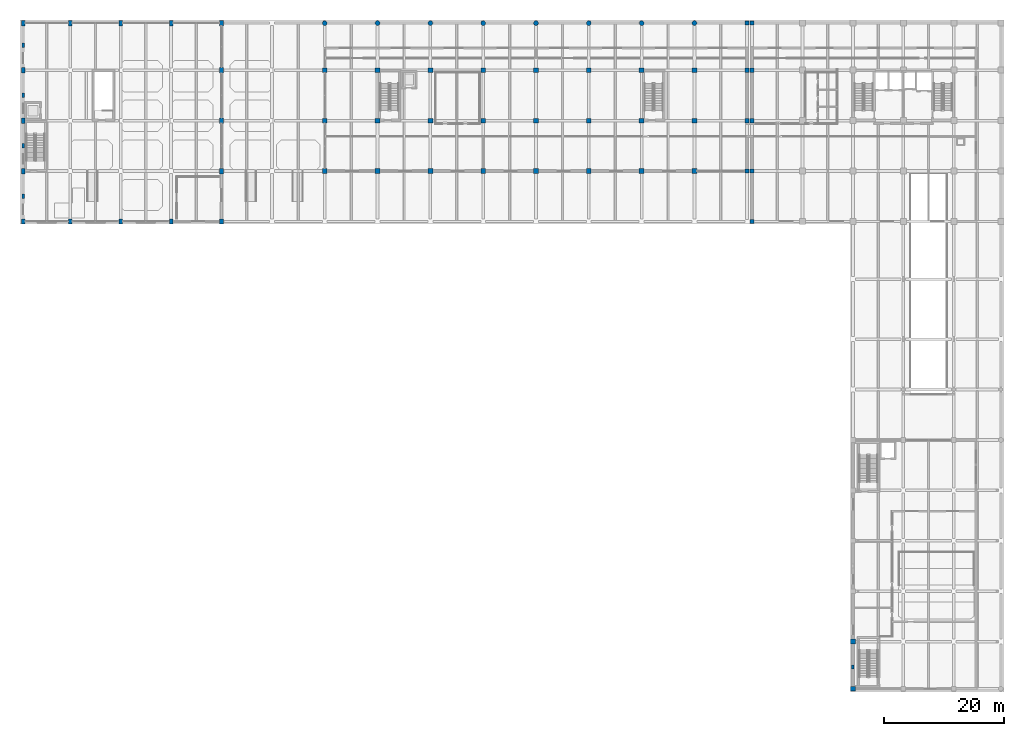
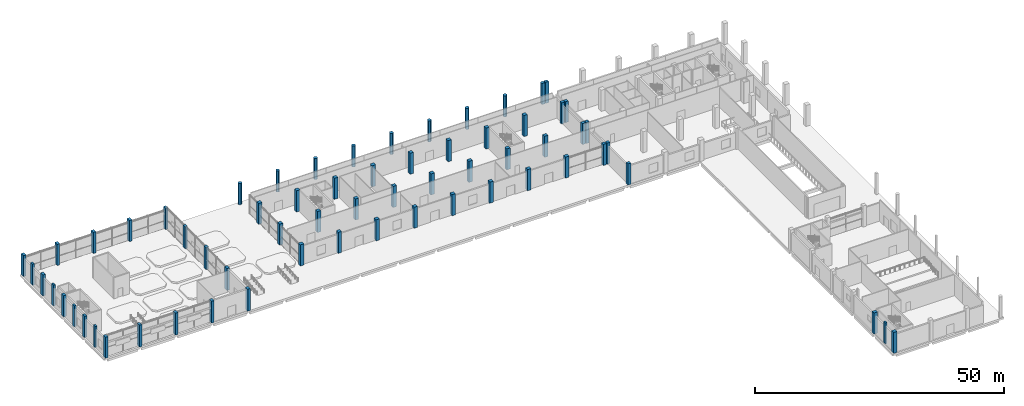
# One storey, part 1 of 34: 64 columns.
"""IFC4 building model written with IfcOpenShell, lengths in metres."""

from ifc_helpers import new_model, si_unit, direction, frame, origin, origin_2d, place, context, subcontext, project, spatial, rectangle, circle, extrude, material, material_profile, profile_set, type_object, element, save


model = new_model("IFC4")

# Units and contexts
model_context = context("Model", 3, precision=1e-05, world=origin(), true_north=direction((0.0, 1.0)))
body_context = subcontext(model_context, "Body", "Model", "MODEL_VIEW")
ifc_project = project(units=[si_unit("LENGTHUNIT", "METRE"), si_unit("AREAUNIT", "SQUARE_METRE"), si_unit("VOLUMEUNIT", "CUBIC_METRE"), si_unit("PLANEANGLEUNIT", "RADIAN"), si_unit("MASSUNIT", "GRAM", prefix="KILO")], contexts=[model_context])

# Site, building, storey
site_placement = place(None, origin())
site = spatial("IfcSite", under=ifc_project, at=site_placement, CompositionType="ELEMENT")
building_placement = place(site_placement, origin())
building = spatial("IfcBuilding", under=site, at=building_placement, Name="Brinegate Botanical Conservatory", CompositionType="ELEMENT")
storey_placement = place(building_placement, origin())
storey = spatial("IfcBuildingStorey", under=building, at=storey_placement, Name="L01", CompositionType="ELEMENT", Elevation=0.0)

# Columns
ifc_material_1 = material(Name="Concrete C50/60", Category="concrete")
ifc_material_profile_1 = material_profile(ifc_material_1, rectangle(XDim=0.699951171875, YDim=0.699951171875, at=origin_2d()), Name="RC COL 700x700")
ifc_profile_set_1 = profile_set([ifc_material_profile_1], Name="Concrete C50/60")
column_type_1 = type_object("IfcColumnType", Name="Col_C-JT", PredefinedType="COLUMN", material=ifc_profile_set_1)
for number, where, z_axis, x_axis, name in (
    (1, (121.14990234375, 86.800048828125, 0.0), (0.0, 0.0, 1.0), (1.0, 0.0, 0.0), "Column C-JT L01 L-15"),
    (2, (121.14990234375, 95.199951171875, 0.0), (0.0, 0.0, 1.0), (1.0, 0.0, 0.0), "Column C-JT L01 M-15"),
    (3, (121.14990234375, 103.60009765625, 0.0), (0.0, 0.0, 1.0), (1.0, 0.0, 0.0), "Column C-JT L01 N-15"),
    (4, (121.14990234375, 111.449951171875, 0.0), (0.0, 0.0, 1.0), (1.0, 0.0, 0.0), "Column C-JT L01 P-15"),
    (5, (122.0, 78.39990234375, 0.0), (0.0, 0.0, 1.0), (1.0, 0.0, 0.0), "Column C-JT L01 K-16"),
    (6, (122.0, 86.800048828125, 0.0), (0.0, 0.0, 1.0), (1.0, 0.0, 0.0), "Column C-JT L01 L-16"),
    (7, (122.0, 95.199951171875, 0.0), (0.0, 0.0, 1.0), (1.0, 0.0, 0.0), "Column C-JT L01 M-16"),
    (8, (122.0, 103.60009765625, 0.0), (0.0, 0.0, 1.0), (1.0, 0.0, 0.0), "Column C-JT L01 N-16"),
    (9, (122.0, 111.449951171875, 0.0), (0.0, 0.0, 1.0), (1.0, 0.0, 0.0), "Column C-JT L01 P-16"),
):
    element("IfcColumn", number, at=place(storey_placement, frame(where, z_axis=z_axis, x_axis=x_axis)), inside=storey, type_object=column_type_1, Name=name, PredefinedType="COLUMN", context=body_context, shape_type="SweptSolid", body=[
        extrude(rectangle(XDim=0.699951171875, YDim=0.699951171875, at=origin_2d()), origin(), (0.0, 0.0, 1.0), 5.179931640625),
    ])
ifc_material_2 = material(Name="Concrete C40/50", Category="concrete")
ifc_material_profile_2 = material_profile(ifc_material_2, circle(Radius=0.39990234375, at=origin_2d()), Name="RC COL D800")
ifc_profile_set_2 = profile_set([ifc_material_profile_2], Name="Concrete C40/50")
column_type_2 = type_object("IfcColumnType", Name="Col_C-QL", PredefinedType="COLUMN", material=ifc_profile_set_2)
for number, where, z_axis, x_axis, name in (
    (10, (50.800048828125, 111.449951171875, 0.0), (0.0, 0.0, 1.0), (1.0, 0.0, 0.0), "Column C-QL L01 P-7"),
    (11, (59.60009765625, 111.449951171875, 0.0), (0.0, 0.0, 1.0), (1.0, 0.0, 0.0), "Column C-QL L01 P-8"),
    (12, (68.39990234375, 111.449951171875, 0.0), (0.0, 0.0, 1.0), (1.0, 0.0, 0.0), "Column C-QL L01 P-9"),
    (13, (77.199951171875, 111.449951171875, 0.0), (0.0, 0.0, 1.0), (1.0, 0.0, 0.0), "Column C-QL L01 P-10"),
    (14, (86.0, 111.449951171875, 0.0), (0.0, 0.0, 1.0), (1.0, 0.0, 0.0), "Column C-QL L01 P-11"),
    (15, (94.800048828125, 111.449951171875, 0.0), (0.0, 0.0, 1.0), (1.0, 0.0, 0.0), "Column C-QL L01 P-12"),
    (16, (103.60009765625, 111.449951171875, 0.0), (0.0, 0.0, 1.0), (1.0, 0.0, 0.0), "Column C-QL L01 P-13"),
    (17, (112.39990234375, 111.449951171875, 0.0), (0.0, 0.0, 1.0), (1.0, 0.0, 0.0), "Column C-QL L01 P-14"),
):
    element("IfcColumn", number, at=place(storey_placement, frame(where, z_axis=z_axis, x_axis=x_axis)), inside=storey, type_object=column_type_2, Name=name, PredefinedType="COLUMN", context=body_context, shape_type="SweptSolid", body=[
        extrude(circle(Radius=0.39990234375, at=origin_2d()), origin(), (0.0, 0.0, 1.0), 5.179931640625),
    ])
ifc_material_profile_3 = material_profile(ifc_material_2, rectangle(XDim=0.60009765625, YDim=0.89990234375, at=origin_2d()), Name="RC PIER 600x900")
ifc_profile_set_3 = profile_set([ifc_material_profile_3], Name="Concrete C40/50")
column_type_3 = type_object("IfcColumnType", Name="Col_C-V1", PredefinedType="COLUMN", material=ifc_profile_set_3)
for number, where, z_axis, x_axis, name in (
    (18, (0.550048828125, 78.39990234375, 0.0), (0.0, 0.0, 1.0), (1.0, 0.0, 0.0), "Column C-V1 L01 K-1"),
    (19, (0.550048828125, 86.800048828125, 0.0), (0.0, 0.0, 1.0), (1.0, 0.0, 0.0), "Column C-V1 L01 L-1"),
    (20, (0.550048828125, 95.199951171875, 0.0), (0.0, 0.0, 1.0), (1.0, 0.0, 0.0), "Column C-V1 L01 M-1"),
    (21, (0.550048828125, 103.60009765625, 0.0), (0.0, 0.0, 1.0), (1.0, 0.0, 0.0), "Column C-V1 L01 N-1"),
    (22, (0.550048828125, 111.449951171875, 0.0), (0.0, 0.0, 1.0), (1.0, 0.0, 0.0), "Column C-V1 L01 P-1"),
):
    element("IfcColumn", number, at=place(storey_placement, frame(where, z_axis=z_axis, x_axis=x_axis)), inside=storey, type_object=column_type_3, Name=name, PredefinedType="COLUMN", context=body_context, shape_type="SweptSolid", body=[
        extrude(rectangle(XDim=0.60009765625, YDim=0.89990234375, at=origin_2d()), origin(), (0.0, 0.0, 1.0), 5.179931640625),
    ])
column_1_placement = place(storey_placement, frame((8.39990234375, 78.39990234375, 0.0), z_axis=(0.0, 0.0, 1.0), x_axis=(1.0, 0.0, 0.0)))
element("IfcColumn", 23, at=column_1_placement, inside=storey, type_object=column_type_3, Name="Column C-V1 L01 K-2", PredefinedType="COLUMN", context=body_context, shape_type="SweptSolid", body=[
    extrude(rectangle(XDim=0.60009765625, YDim=0.89990234375, at=origin_2d()), origin(), (0.0, 0.0, 1.0), 5.39990234375),
])
column_2_placement = place(storey_placement, frame((8.39990234375, 111.449951171875, 0.0), z_axis=(0.0, 0.0, 1.0), x_axis=(1.0, 0.0, 0.0)))
element("IfcColumn", 24, at=column_2_placement, inside=storey, type_object=column_type_3, Name="Column C-V1 L01 P-2", PredefinedType="COLUMN", context=body_context, shape_type="SweptSolid", body=[
    extrude(rectangle(XDim=0.60009765625, YDim=0.89990234375, at=origin_2d()), origin(), (0.0, 0.0, 1.0), 5.179931640625),
])
column_3_placement = place(storey_placement, frame((16.800048828125, 78.39990234375, 0.0), z_axis=(0.0, 0.0, 1.0), x_axis=(1.0, 0.0, 0.0)))
element("IfcColumn", 25, at=column_3_placement, inside=storey, type_object=column_type_3, Name="Column C-V1 L01 K-3", PredefinedType="COLUMN", context=body_context, shape_type="SweptSolid", body=[
    extrude(rectangle(XDim=0.60009765625, YDim=0.89990234375, at=origin_2d()), origin(), (0.0, 0.0, 1.0), 5.39990234375),
])
column_4_placement = place(storey_placement, frame((16.800048828125, 111.449951171875, 0.0), z_axis=(0.0, 0.0, 1.0), x_axis=(1.0, 0.0, 0.0)))
element("IfcColumn", 26, at=column_4_placement, inside=storey, type_object=column_type_3, Name="Column C-V1 L01 P-3", PredefinedType="COLUMN", context=body_context, shape_type="SweptSolid", body=[
    extrude(rectangle(XDim=0.60009765625, YDim=0.89990234375, at=origin_2d()), origin(), (0.0, 0.0, 1.0), 5.179931640625),
])
column_5_placement = place(storey_placement, frame((25.199951171875, 78.39990234375, 0.0), z_axis=(0.0, 0.0, 1.0), x_axis=(1.0, 0.0, 0.0)))
element("IfcColumn", 27, at=column_5_placement, inside=storey, type_object=column_type_3, Name="Column C-V1 L01 K-4", PredefinedType="COLUMN", context=body_context, shape_type="SweptSolid", body=[
    extrude(rectangle(XDim=0.60009765625, YDim=0.89990234375, at=origin_2d()), origin(), (0.0, 0.0, 1.0), 5.39990234375),
])
column_6_placement = place(storey_placement, frame((25.199951171875, 111.449951171875, 0.0), z_axis=(0.0, 0.0, 1.0), x_axis=(1.0, 0.0, 0.0)))
element("IfcColumn", 28, at=column_6_placement, inside=storey, type_object=column_type_3, Name="Column C-V1 L01 P-4", PredefinedType="COLUMN", context=body_context, shape_type="SweptSolid", body=[
    extrude(rectangle(XDim=0.60009765625, YDim=0.89990234375, at=origin_2d()), origin(), (0.0, 0.0, 1.0), 5.179931640625),
])
for number, where, z_axis, x_axis, name in (
    (29, (33.60009765625, 78.39990234375, 0.0), (0.0, 0.0, 1.0), (1.0, 0.0, 0.0), "Column C-V1 L01 K-5"),
    (30, (33.60009765625, 86.800048828125, 0.0), (0.0, 0.0, 1.0), (1.0, 0.0, 0.0), "Column C-V1 L01 L-5"),
    (31, (33.60009765625, 95.199951171875, 0.0), (0.0, 0.0, 1.0), (1.0, 0.0, 0.0), "Column C-V1 L01 M-5"),
    (32, (33.60009765625, 103.60009765625, 0.0), (0.0, 0.0, 1.0), (1.0, 0.0, 0.0), "Column C-V1 L01 N-5"),
):
    element("IfcColumn", number, at=place(storey_placement, frame(where, z_axis=z_axis, x_axis=x_axis)), inside=storey, type_object=column_type_3, Name=name, PredefinedType="COLUMN", context=body_context, shape_type="SweptSolid", body=[
        extrude(rectangle(XDim=0.60009765625, YDim=0.89990234375, at=origin_2d()), origin(), (0.0, 0.0, 1.0), 5.39990234375),
    ])
column_7_placement = place(storey_placement, frame((33.60009765625, 111.449951171875, 0.0), z_axis=(0.0, 0.0, 1.0), x_axis=(1.0, 0.0, 0.0)))
element("IfcColumn", 33, at=column_7_placement, inside=storey, type_object=column_type_3, Name="Column C-V1 L01 P-5", PredefinedType="COLUMN", context=body_context, shape_type="SweptSolid", body=[
    extrude(rectangle(XDim=0.60009765625, YDim=0.89990234375, at=origin_2d()), origin(), (0.0, 0.0, 1.0), 5.179931640625),
])
ifc_material_profile_4 = material_profile(ifc_material_2, rectangle(XDim=0.800048828125, YDim=0.800048828125, at=origin_2d()), Name="RC COL 800x800")
ifc_profile_set_4 = profile_set([ifc_material_profile_4], Name="Concrete C40/50")
column_type_4 = type_object("IfcColumnType", Name="Col_C-W1", PredefinedType="COLUMN", material=ifc_profile_set_4)
for number, where, z_axis, x_axis, name in (
    (34, (50.800048828125, 86.800048828125, 0.0), (0.0, 0.0, 1.0), (1.0, 0.0, 0.0), "Column C-W1 L01 L-7"),
    (35, (50.800048828125, 95.199951171875, 0.0), (0.0, 0.0, 1.0), (1.0, 0.0, 0.0), "Column C-W1 L01 M-7"),
    (36, (50.800048828125, 103.60009765625, 0.0), (0.0, 0.0, 1.0), (1.0, 0.0, 0.0), "Column C-W1 L01 N-7"),
    (37, (59.60009765625, 86.800048828125, 0.0), (0.0, 0.0, 1.0), (1.0, 0.0, 0.0), "Column C-W1 L01 L-8"),
    (38, (59.60009765625, 95.199951171875, 0.0), (0.0, 0.0, 1.0), (1.0, 0.0, 0.0), "Column C-W1 L01 M-8"),
    (39, (59.60009765625, 103.60009765625, 0.0), (0.0, 0.0, 1.0), (1.0, 0.0, 0.0), "Column C-W1 L01 N-8"),
    (40, (68.39990234375, 86.800048828125, 0.0), (0.0, 0.0, 1.0), (1.0, 0.0, 0.0), "Column C-W1 L01 L-9"),
    (41, (68.39990234375, 95.199951171875, 0.0), (0.0, 0.0, 1.0), (1.0, 0.0, 0.0), "Column C-W1 L01 M-9"),
    (42, (68.39990234375, 103.60009765625, 0.0), (0.0, 0.0, 1.0), (1.0, 0.0, 0.0), "Column C-W1 L01 N-9"),
    (43, (77.199951171875, 86.800048828125, 0.0), (0.0, 0.0, 1.0), (1.0, 0.0, 0.0), "Column C-W1 L01 L-10"),
    (44, (77.199951171875, 95.199951171875, 0.0), (0.0, 0.0, 1.0), (1.0, 0.0, 0.0), "Column C-W1 L01 M-10"),
    (45, (77.199951171875, 103.60009765625, 0.0), (0.0, 0.0, 1.0), (1.0, 0.0, 0.0), "Column C-W1 L01 N-10"),
    (46, (86.0, 86.800048828125, 0.0), (0.0, 0.0, 1.0), (1.0, 0.0, 0.0), "Column C-W1 L01 L-11"),
    (47, (86.0, 95.199951171875, 0.0), (0.0, 0.0, 1.0), (1.0, 0.0, 0.0), "Column C-W1 L01 M-11"),
    (48, (86.0, 103.60009765625, 0.0), (0.0, 0.0, 1.0), (1.0, 0.0, 0.0), "Column C-W1 L01 N-11"),
    (49, (94.800048828125, 86.800048828125, 0.0), (0.0, 0.0, 1.0), (1.0, 0.0, 0.0), "Column C-W1 L01 L-12"),
    (50, (94.800048828125, 95.199951171875, 0.0), (0.0, 0.0, 1.0), (1.0, 0.0, 0.0), "Column C-W1 L01 M-12"),
    (51, (94.800048828125, 103.60009765625, 0.0), (0.0, 0.0, 1.0), (1.0, 0.0, 0.0), "Column C-W1 L01 N-12"),
    (52, (103.60009765625, 86.800048828125, 0.0), (0.0, 0.0, 1.0), (1.0, 0.0, 0.0), "Column C-W1 L01 L-13"),
    (53, (103.60009765625, 95.199951171875, 0.0), (0.0, 0.0, 1.0), (1.0, 0.0, 0.0), "Column C-W1 L01 M-13"),
    (54, (103.60009765625, 103.60009765625, 0.0), (0.0, 0.0, 1.0), (1.0, 0.0, 0.0), "Column C-W1 L01 N-13"),
    (55, (112.39990234375, 86.800048828125, 0.0), (0.0, 0.0, 1.0), (1.0, 0.0, 0.0), "Column C-W1 L01 L-14"),
    (56, (112.39990234375, 95.199951171875, 0.0), (0.0, 0.0, 1.0), (1.0, 0.0, 0.0), "Column C-W1 L01 M-14"),
    (57, (112.39990234375, 103.60009765625, 0.0), (0.0, 0.0, 1.0), (1.0, 0.0, 0.0), "Column C-W1 L01 N-14"),
    (58, (138.800048828125, 0.550048828125, 0.0), (0.0, 0.0, 1.0), (1.0, 0.0, 0.0), "Column C-W1 L01 A-18"),
    (59, (138.800048828125, 8.39990234375, 0.0), (0.0, 0.0, 1.0), (1.0, 0.0, 0.0), "Column C-W1 L01 B-18"),
):
    element("IfcColumn", number, at=place(storey_placement, frame(where, z_axis=z_axis, x_axis=x_axis)), inside=storey, type_object=column_type_4, Name=name, PredefinedType="COLUMN", context=body_context, shape_type="SweptSolid", body=[
        extrude(rectangle(XDim=0.800048828125, YDim=0.800048828125, at=origin_2d()), origin(), (0.0, 0.0, 1.0), 5.179931640625),
    ])
ifc_material_profile_5 = material_profile(ifc_material_1, rectangle(XDim=0.449951171875, YDim=0.75, at=origin_2d()), Name="RC PILASTER 450x750")
ifc_profile_set_5 = profile_set([ifc_material_profile_5], Name="Concrete C50/60")
column_type_5 = type_object("IfcColumnType", Name="Col_PL-W1", PredefinedType="PILASTER", material=ifc_profile_set_5)
for number, where, z_axis, x_axis, name in (
    (60, (0.550048828125, 82.60009765625, 0.0), (0.0, 0.0, 1.0), (1.0, 0.0, 0.0), "Warehouse pilaster PL-W1 L01 PL-W-V1A"),
    (61, (0.550048828125, 91.0, 0.0), (0.0, 0.0, 1.0), (1.0, 0.0, 0.0), "Warehouse pilaster PL-W1 L01 PL-W-V1B"),
    (62, (0.550048828125, 99.39990234375, 0.0), (0.0, 0.0, 1.0), (1.0, 0.0, 0.0), "Warehouse pilaster PL-W1 L01 PL-W-V1C"),
    (63, (0.550048828125, 107.800048828125, 0.0), (0.0, 0.0, 1.0), (1.0, 0.0, 0.0), "Warehouse pilaster PL-W1 L01 PL-W-V1D"),
):
    element("IfcColumn", number, at=place(storey_placement, frame(where, z_axis=z_axis, x_axis=x_axis)), inside=storey, type_object=column_type_5, Name=name, PredefinedType="PILASTER", context=body_context, shape_type="SweptSolid", body=[
        extrude(rectangle(XDim=0.449951171875, YDim=0.75, at=origin_2d()), origin(), (0.0, 0.0, 1.0), 5.179931640625),
    ])
ifc_material_profile_6 = material_profile(ifc_material_2, rectangle(XDim=0.39990234375, YDim=0.64990234375, at=origin_2d()), Name="RC PILASTER 400x650")
ifc_profile_set_6 = profile_set([ifc_material_profile_6], Name="Concrete C40/50")
column_type_6 = type_object("IfcColumnType", Name="Col_PL-W2", PredefinedType="PILASTER", material=ifc_profile_set_6)
column_8_placement = place(storey_placement, frame((138.800048828125, 4.199951171875, 0.0), z_axis=(0.0, 0.0, 1.0), x_axis=(1.0, 0.0, 0.0)))
element("IfcColumn", 64, at=column_8_placement, inside=storey, type_object=column_type_6, Name="Warehouse pilaster PL-W2 L01 PL-W-V2A", PredefinedType="PILASTER", context=body_context, shape_type="SweptSolid", body=[
    extrude(rectangle(XDim=0.39990234375, YDim=0.64990234375, at=origin_2d()), origin(), (0.0, 0.0, 1.0), 5.179931640625),
])

save(model, "model.ifc")
